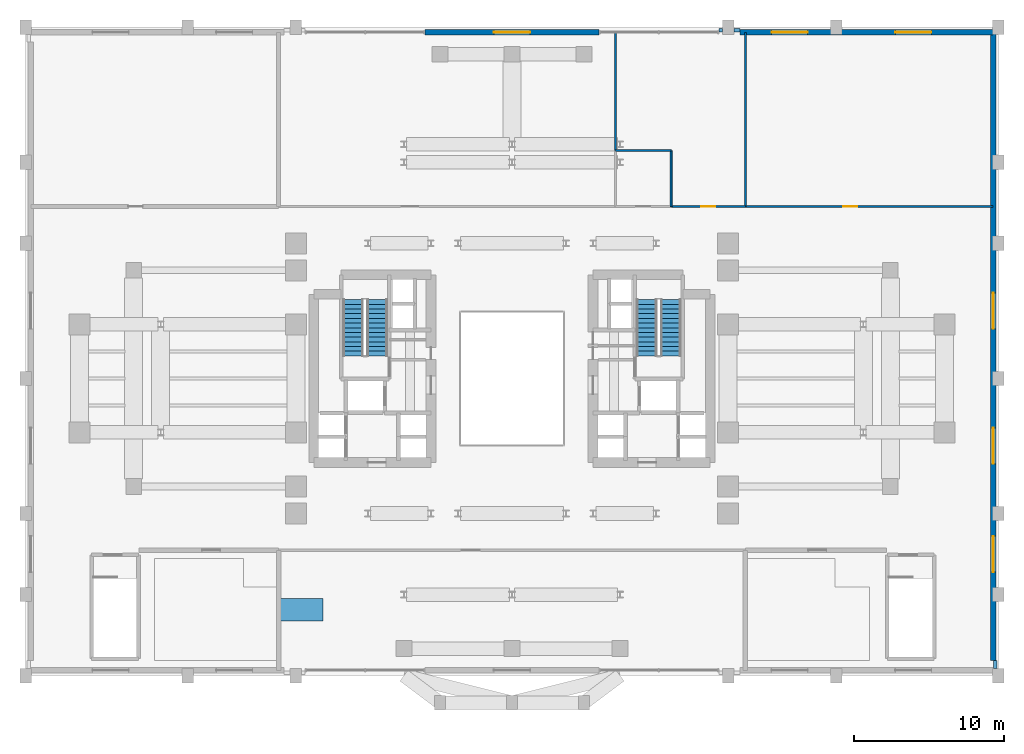
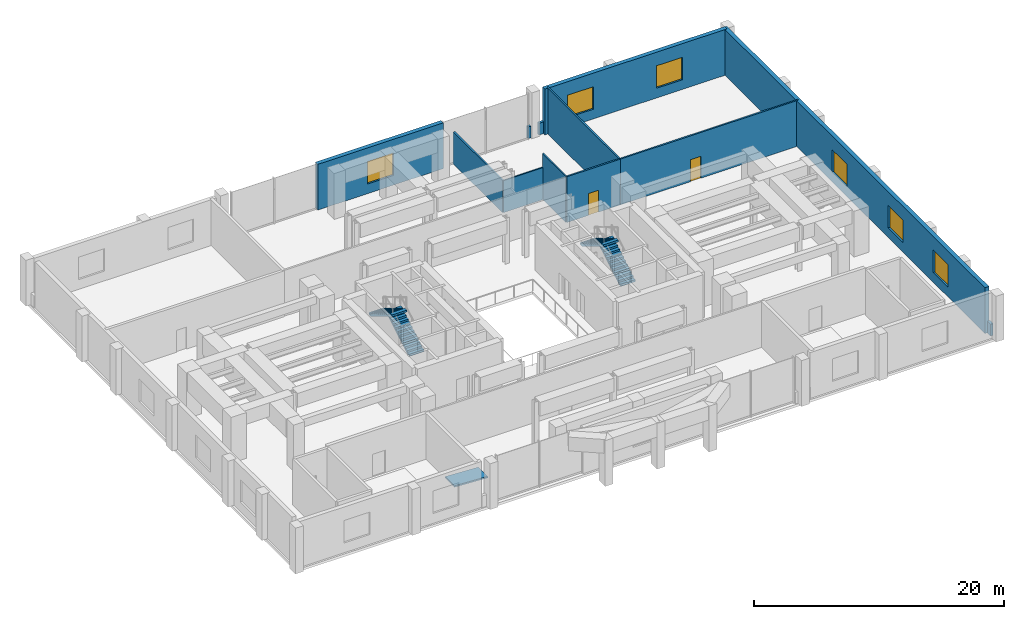
# One storey, part 11 of 13: 12 walls, 6 windows, 4 stair flights, 2 doors, 1 ramp flight, 8 openings, 3 elements without a shape of their own.
"""IFC4 building model written with IfcOpenShell, lengths in metres."""

from ifc_helpers import new_model, si_unit, direction, frame, frame_2d, origin, place, context, subcontext, project, spatial, polyline, rectangle, outline, extrude, source, transform, mapped, material, layer, layer_set, type_object, element, fill, aggregate, save


model = new_model("IFC4")

# Units and contexts
model_context = context("Model", 3, precision=1e-05, world=origin(), true_north=direction((0.0, 1.0)))
body_context = subcontext(model_context, "Body", "Model", "MODEL_VIEW")
ifc_project = project(units=[si_unit("LENGTHUNIT", "METRE"), si_unit("AREAUNIT", "SQUARE_METRE"), si_unit("VOLUMEUNIT", "CUBIC_METRE"), si_unit("PLANEANGLEUNIT", "RADIAN"), si_unit("MASSUNIT", "GRAM", prefix="KILO")], contexts=[model_context])

# Site, building, storey
site_placement = place(None, origin())
site = spatial("IfcSite", under=ifc_project, at=site_placement, CompositionType="ELEMENT")
building_placement = place(site_placement, origin())
building = spatial("IfcBuilding", under=site, at=building_placement, Name="Keilestroom Media Tower", CompositionType="ELEMENT")
storey_placement = place(building_placement, frame((0.0, 0.0, 20.39990234375)))
storey = spatial("IfcBuildingStorey", under=building, at=storey_placement, Name="L04", CompositionType="ELEMENT", Elevation=20.39990234375)

# Wall, openings, windows
ifc_material_1 = material(Name="Precast concrete C40/50", Category="concrete")
ifc_layer_1 = layer(ifc_material_1, 0.3798828125)
ifc_layer_set_1 = layer_set([ifc_layer_1], Name="Precast concrete C40/50")
wall_type_1 = type_object("IfcWallType", Name="Exterior-Masonry-Spandrel-Wall-380", PredefinedType="SOLIDWALL", material=ifc_layer_set_1)
wall_1_placement = place(storey_placement, frame((15.199951171875, 23.050048828125, 0.0), z_axis=(0.0, 0.0, 1.0), x_axis=(1.0, 0.0, 0.0)))
wall_1 = element("IfcWall", 1, at=wall_1_placement, inside=storey, type_object=wall_type_1, Name="L04 Podium Precast Masonry Wall EWL-L04-N-E", PredefinedType="SOLIDWALL", context=body_context, shape_type="SweptSolid", body=[
    extrude(rectangle(XDim=16.85009765625, YDim=0.3798828125, at=frame_2d((8.425048828125, 0.0))), origin(), (0.0, 0.0, 1.0), 4.47998046875),
])
opening_1_placement = place(wall_1_placement, frame((2.087890625, 0.0, 0.949951171875)))
opening_1 = element("IfcOpeningElement", 2, at=opening_1_placement, cuts=wall_1, Name="Opening WN-02", PredefinedType="OPENING", context=body_context, shape_type="SweptSolid", body=[
    extrude(rectangle(XDim=2.39990234375, YDim=2.199951171875, at=frame_2d((1.199951171875, 1.10009765625))), frame((0.0, 0.199951171875, 0.0), z_axis=(0.0, -1.0, 0.0), x_axis=(1.0, 0.0, 0.0)), (0.0, 0.0, 1.0), 0.39990234375),
])
opening_2_placement = place(wall_1_placement, frame((10.337890625, 0.0, 0.949951171875)))
opening_2 = element("IfcOpeningElement", 3, at=opening_2_placement, cuts=wall_1, Name="Opening WN-02", PredefinedType="OPENING", context=body_context, shape_type="SweptSolid", body=[
    extrude(rectangle(XDim=2.39990234375, YDim=2.199951171875, at=frame_2d((1.199951171875, 1.10009765625))), frame((0.0, 0.199951171875, 0.0), z_axis=(0.0, -1.0, 0.0), x_axis=(1.0, 0.0, 0.0)), (0.0, 0.0, 1.0), 0.39990234375),
])
ifc_material_2 = material(Name="Triple Glazed Low-E Window Unit", Category="glass")
window_type = type_object("IfcWindowType", Name="Recessed-Punched-Window-WN-02", PartitioningType="DOUBLE_PANEL_VERTICAL", PredefinedType="WINDOW", material=ifc_material_2)
shared_shape_1 = source(origin(), body_context, "Body", "SweptSolid", [
    extrude(rectangle(XDim=2.39990234375, YDim=2.199951171875, at=frame_2d((1.199951171875, 1.10009765625))), frame((0.0, 0.030029296875, 0.0), z_axis=(0.0, -1.0, 0.0), x_axis=(1.0, 0.0, 0.0)), (0.0, 0.0, 1.0), 0.06005859375),
])
window_1_placement = place(opening_1_placement, origin())
window_1 = element("IfcWindow", 4, at=window_1_placement, inside=storey, type_object=window_type, Name="L04 Window WN-02 EWL-L04-N-E-1", OverallHeight=2.199951171875, OverallWidth=2.39990234375, PartitioningType="SINGLE_PANEL", PredefinedType="WINDOW", context=body_context, shape_type="MappedRepresentation", body=[
    mapped(shared_shape_1, transform((0.0, 0.0, 0.0), x_axis=(1.0, 0.0, 0.0), y_axis=(0.0, 1.0, 0.0), z_axis=(0.0, 0.0, 1.0), scale=1.0)),
])
fill(opening_1, window_1)
window_2_placement = place(opening_2_placement, origin())
window_2 = element("IfcWindow", 5, at=window_2_placement, inside=storey, type_object=window_type, Name="L04 Window WN-02 EWL-L04-N-E-2", OverallHeight=2.199951171875, OverallWidth=2.39990234375, PartitioningType="SINGLE_PANEL", PredefinedType="WINDOW", context=body_context, shape_type="MappedRepresentation", body=[
    mapped(shared_shape_1, transform((0.0, 0.0, 0.0), x_axis=(1.0, 0.0, 0.0), y_axis=(0.0, 1.0, 0.0), z_axis=(0.0, 0.0, 1.0), scale=1.0)),
])
fill(opening_2, window_2)

wall_2_placement = place(storey_placement, frame((32.050048828125, -18.800048828125, 0.0), z_axis=(0.0, 0.0, 1.0), x_axis=(0.0, 1.0, 0.0)))
wall_2 = element("IfcWall", 6, at=wall_2_placement, inside=storey, type_object=wall_type_1, Name="L04 Podium Precast Masonry Wall EWL-L04-E-M", PredefinedType="SOLIDWALL", context=body_context, shape_type="SweptSolid", body=[
    extrude(rectangle(XDim=42.0, YDim=0.3798828125, at=frame_2d((21.0, 0.0))), origin(), (0.0, 0.0, 1.0), 4.47998046875),
])
opening_3_placement = place(wall_2_placement, frame((5.89990234375, 0.0, 0.949951171875)))
opening_3 = element("IfcOpeningElement", 7, at=opening_3_placement, cuts=wall_2, Name="Opening WN-02", PredefinedType="OPENING", context=body_context, shape_type="SweptSolid", body=[
    extrude(rectangle(XDim=2.39990234375, YDim=2.199951171875, at=frame_2d((1.199951171875, 1.10009765625))), frame((0.0, 0.199951171875, 0.0), z_axis=(0.0, -1.0, 0.0), x_axis=(1.0, 0.0, 0.0)), (0.0, 0.0, 1.0), 0.39990234375),
])
opening_4_placement = place(wall_2_placement, frame((13.10009765625, 0.0, 0.949951171875)))
opening_4 = element("IfcOpeningElement", 8, at=opening_4_placement, cuts=wall_2, Name="Opening WN-02", PredefinedType="OPENING", context=body_context, shape_type="SweptSolid", body=[
    extrude(rectangle(XDim=2.39990234375, YDim=2.199951171875, at=frame_2d((1.199951171875, 1.10009765625))), frame((0.0, 0.199951171875, 0.0), z_axis=(0.0, -1.0, 0.0), x_axis=(1.0, 0.0, 0.0)), (0.0, 0.0, 1.0), 0.39990234375),
])
opening_5_placement = place(wall_2_placement, frame((22.10009765625, 0.0, 0.949951171875)))
opening_5 = element("IfcOpeningElement", 9, at=opening_5_placement, cuts=wall_2, Name="Opening WN-02", PredefinedType="OPENING", context=body_context, shape_type="SweptSolid", body=[
    extrude(rectangle(XDim=2.39990234375, YDim=2.199951171875, at=frame_2d((1.199951171875, 1.10009765625))), frame((0.0, 0.199951171875, 0.0), z_axis=(0.0, -1.0, 0.0), x_axis=(1.0, 0.0, 0.0)), (0.0, 0.0, 1.0), 0.39990234375),
])
window_3_placement = place(opening_3_placement, origin())
window_3 = element("IfcWindow", 10, at=window_3_placement, inside=storey, type_object=window_type, Name="L04 Window WN-02 EWL-L04-E-M-1", OverallHeight=2.199951171875, OverallWidth=2.39990234375, PartitioningType="SINGLE_PANEL", PredefinedType="WINDOW", context=body_context, shape_type="MappedRepresentation", body=[
    mapped(shared_shape_1, transform((0.0, 0.0, 0.0), x_axis=(1.0, 0.0, 0.0), y_axis=(0.0, 1.0, 0.0), z_axis=(0.0, 0.0, 1.0), scale=1.0)),
])
fill(opening_3, window_3)
window_4_placement = place(opening_4_placement, origin())
window_4 = element("IfcWindow", 11, at=window_4_placement, inside=storey, type_object=window_type, Name="L04 Window WN-02 EWL-L04-E-M-2", OverallHeight=2.199951171875, OverallWidth=2.39990234375, PartitioningType="SINGLE_PANEL", PredefinedType="WINDOW", context=body_context, shape_type="MappedRepresentation", body=[
    mapped(shared_shape_1, transform((0.0, 0.0, 0.0), x_axis=(1.0, 0.0, 0.0), y_axis=(0.0, 1.0, 0.0), z_axis=(0.0, 0.0, 1.0), scale=1.0)),
])
fill(opening_4, window_4)
window_5_placement = place(opening_5_placement, origin())
window_5 = element("IfcWindow", 12, at=window_5_placement, inside=storey, type_object=window_type, Name="L04 Window WN-02 EWL-L04-E-M-3", OverallHeight=2.199951171875, OverallWidth=2.39990234375, PartitioningType="SINGLE_PANEL", PredefinedType="WINDOW", context=body_context, shape_type="MappedRepresentation", body=[
    mapped(shared_shape_1, transform((0.0, 0.0, 0.0), x_axis=(1.0, 0.0, 0.0), y_axis=(0.0, 1.0, 0.0), z_axis=(0.0, 0.0, 1.0), scale=1.0)),
])
fill(opening_5, window_5)

# Wall, opening, window
wall_3_placement = place(storey_placement, frame((-5.804931640625, 23.050048828125, 0.0), z_axis=(0.0, 0.0, 1.0), x_axis=(1.0, 0.0, 0.0)))
wall_3 = element("IfcWall", 13, at=wall_3_placement, inside=storey, type_object=wall_type_1, Name="L04 Podium Precast Masonry Wall EWL-L04-N-C-1", PredefinedType="SOLIDWALL", context=body_context, shape_type="SweptSolid", body=[
    extrude(rectangle(XDim=11.60986328125, YDim=0.3798828125, at=frame_2d((5.804931640625, 0.0))), origin(), (0.0, 0.0, 1.0), 4.47998046875),
])
opening_6_placement = place(wall_3_placement, frame((4.60498046875, 0.0, 0.949951171875)))
opening_6 = element("IfcOpeningElement", 14, at=opening_6_placement, cuts=wall_3, Name="Opening WN-02", PredefinedType="OPENING", context=body_context, shape_type="SweptSolid", body=[
    extrude(rectangle(XDim=2.39990234375, YDim=2.199951171875, at=frame_2d((1.199951171875, 1.10009765625))), frame((0.0, 0.199951171875, 0.0), z_axis=(0.0, -1.0, 0.0), x_axis=(1.0, 0.0, 0.0)), (0.0, 0.0, 1.0), 0.39990234375),
])
window_6_placement = place(opening_6_placement, origin())
window_6 = element("IfcWindow", 15, at=window_6_placement, inside=storey, type_object=window_type, Name="L04 Window WN-02 EWL-L04-N-C-1-1", OverallHeight=2.199951171875, OverallWidth=2.39990234375, PartitioningType="SINGLE_PANEL", PredefinedType="WINDOW", context=body_context, shape_type="MappedRepresentation", body=[
    mapped(shared_shape_1, transform((0.0, 0.0, 0.0), x_axis=(1.0, 0.0, 0.0), y_axis=(0.0, 1.0, 0.0), z_axis=(0.0, 0.0, 1.0), scale=1.0)),
])
fill(opening_6, window_6)

# Walls
ifc_material_3 = material(Name="Gypsum Plasterboard & Steel Stud", Category="steel")
ifc_layer_2 = layer(ifc_material_3, 0.1201171875)
ifc_layer_set_2 = layer_set([ifc_layer_2], Name="Gypsum Plasterboard & Steel Stud")
wall_type_2 = type_object("IfcWallType", Name="Interior-Partition-Wall-120", PredefinedType="PARTITIONING", material=ifc_layer_set_2)
wall_4_placement = place(storey_placement, frame((6.89990234375, 15.179931640625, 0.0), z_axis=(0.0, 0.0, 1.0), x_axis=(1.0, 0.0, 0.0)))
element("IfcWall", 16, at=wall_4_placement, inside=storey, type_object=wall_type_2, Name="L04 Interior Wall WP-L04-WC-POD-N", PredefinedType="PARTITIONING", context=body_context, shape_type="SweptSolid", body=[
    extrude(rectangle(XDim=3.7001953125, YDim=0.1201171875, at=frame_2d((1.85009765625, 0.0))), origin(), (0.0, 0.0, 1.0), 3.130126953125),
])
wall_5_placement = place(storey_placement, frame((10.60009765625, 11.449951171875, 0.0), z_axis=(0.0, 0.0, 1.0), x_axis=(0.0, 1.0, 0.0)))
element("IfcWall", 17, at=wall_5_placement, inside=storey, type_object=wall_type_2, Name="L04 Interior Wall WP-L04-WC-POD-E", PredefinedType="PARTITIONING", context=body_context, shape_type="SweptSolid", body=[
    extrude(rectangle(XDim=3.72998046875, YDim=0.1201171875, at=frame_2d((1.864990234375, 0.0))), origin(), (0.0, 0.0, 1.0), 4.47998046875),
])

# Wall, opening, door
ifc_layer_3 = layer(ifc_material_3, 0.14990234375)
ifc_layer_set_3 = layer_set([ifc_layer_3], Name="Gypsum Plasterboard & Steel Stud")
wall_type_3 = type_object("IfcWallType", Name="Interior-Partition-Wall-150", PredefinedType="PARTITIONING", material=ifc_layer_set_3)
wall_6_placement = place(storey_placement, frame((15.550048828125, 11.449951171875, 0.0), z_axis=(0.0, 0.0, 1.0), x_axis=(1.0, 0.0, 0.0)))
wall_6 = element("IfcWall", 18, at=wall_6_placement, inside=storey, type_object=wall_type_3, Name="L04 Interior Wall WP-L04-EDIT-NE-S", PredefinedType="PARTITIONING", context=body_context, shape_type="SweptSolid", body=[
    extrude(rectangle(XDim=16.5, YDim=0.14990234375, at=frame_2d((8.25, 0.0))), origin(), (0.0, 0.0, 1.0), 4.47998046875),
])
opening_7_placement = place(wall_6_placement, frame((6.5, 0.0, 0.0)))
opening_7 = element("IfcOpeningElement", 19, at=opening_7_placement, cuts=wall_6, Name="Opening DI-03", PredefinedType="OPENING", context=body_context, shape_type="SweptSolid", body=[
    extrude(rectangle(XDim=0.949951171875, YDim=2.14990234375, at=frame_2d((0.47509765625, 1.074951171875))), frame((0.0, 0.0849609375, 0.0), z_axis=(0.0, -1.0, 0.0), x_axis=(1.0, 0.0, 0.0)), (0.0, 0.0, 1.0), 0.169921875),
])
ifc_material_4 = material(Name="Lacquered European Oak Leaf", Category="wood")
door_type = type_object("IfcDoorType", Name="Interior-Room-And-Suite-Door-DI-03", OperationType="NOTDEFINED", PredefinedType="DOOR", material=ifc_material_4)
shared_shape_2 = source(origin(), body_context, "Body", "SweptSolid", [
    extrude(rectangle(XDim=0.949951171875, YDim=2.14990234375, at=frame_2d((0.47509765625, 1.074951171875))), frame((0.0, 0.02490234375, 0.0), z_axis=(0.0, -1.0, 0.0), x_axis=(1.0, 0.0, 0.0)), (0.0, 0.0, 1.0), 0.050048828125),
])
door_1_placement = place(opening_7_placement, origin())
door_1 = element("IfcDoor", 20, at=door_1_placement, inside=storey, type_object=door_type, Name="L04 Interior Door DI-L04-EDIT-NE-D", OperationType="SINGLE_SWING_RIGHT", OverallHeight=2.14990234375, OverallWidth=0.949951171875, PredefinedType="DOOR", context=body_context, shape_type="MappedRepresentation", body=[
    mapped(shared_shape_2, transform((0.0, 0.0, 0.0), x_axis=(1.0, 0.0, 0.0), y_axis=(0.0, 1.0, 0.0), z_axis=(0.0, 0.0, 1.0), scale=1.0)),
])
fill(opening_7, door_1)

# Walls
wall_7_placement = place(storey_placement, frame((15.550048828125, 11.449951171875, 0.0), z_axis=(0.0, 0.0, 1.0), x_axis=(0.0, 1.0, 0.0)))
element("IfcWall", 21, at=wall_7_placement, inside=storey, type_object=wall_type_3, Name="L04 Interior Wall WP-L04-EDIT-NE-W", PredefinedType="PARTITIONING", context=body_context, shape_type="SweptSolid", body=[
    extrude(rectangle(XDim=11.60009765625, YDim=0.14990234375, at=frame_2d((5.800048828125, 0.0))), origin(), (0.0, 0.0, 1.0), 4.47998046875),
])
wall_8_placement = place(storey_placement, frame((6.89990234375, 15.179931640625, 0.0), z_axis=(0.0, 0.0, 1.0), x_axis=(0.0, 1.0, 0.0)))
element("IfcWall", 22, at=wall_8_placement, inside=storey, type_object=wall_type_3, Name="L04 Interior Wall WP-L04-GREEN-N-E", PredefinedType="PARTITIONING", context=body_context, shape_type="SweptSolid", body=[
    extrude(rectangle(XDim=7.8701171875, YDim=0.14990234375, at=frame_2d((3.93505859375, 0.0))), origin(), (0.0, 0.0, 1.0), 3.130126953125),
])

# Wall, opening, door
wall_9_placement = place(storey_placement, frame((10.60009765625, 11.449951171875, 0.0), z_axis=(0.0, 0.0, 1.0), x_axis=(1.0, 0.0, 0.0)))
wall_9 = element("IfcWall", 23, at=wall_9_placement, inside=storey, type_object=wall_type_3, Name="L04 Interior Wall WP-L04-WARD-NE-S", PredefinedType="PARTITIONING", context=body_context, shape_type="SweptSolid", body=[
    extrude(rectangle(XDim=4.949951171875, YDim=0.14990234375, at=frame_2d((2.47509765625, 0.0))), origin(), (0.0, 0.0, 1.0), 4.47998046875),
])
opening_8_placement = place(wall_9_placement, frame((2.0, 0.0, 0.0)))
opening_8 = element("IfcOpeningElement", 24, at=opening_8_placement, cuts=wall_9, Name="Opening DI-03", PredefinedType="OPENING", context=body_context, shape_type="SweptSolid", body=[
    extrude(rectangle(XDim=0.949951171875, YDim=2.14990234375, at=frame_2d((0.47509765625, 1.074951171875))), frame((0.0, 0.0849609375, 0.0), z_axis=(0.0, -1.0, 0.0), x_axis=(1.0, 0.0, 0.0)), (0.0, 0.0, 1.0), 0.169921875),
])
door_2_placement = place(opening_8_placement, origin())
door_2 = element("IfcDoor", 25, at=door_2_placement, inside=storey, type_object=door_type, Name="L04 Interior Door DI-L04-WARD-NE-D", OperationType="SINGLE_SWING_RIGHT", OverallHeight=2.14990234375, OverallWidth=0.949951171875, PredefinedType="DOOR", context=body_context, shape_type="MappedRepresentation", body=[
    mapped(shared_shape_2, transform((0.0, 0.0, 0.0), x_axis=(1.0, 0.0, 0.0), y_axis=(0.0, 1.0, 0.0), z_axis=(0.0, 0.0, 1.0), scale=1.0)),
])
fill(opening_8, door_2)

# Walls
ifc_layer_4 = layer(ifc_material_1, 0.239990234375)
ifc_layer_set_4 = layer_set([ifc_layer_4], Name="Precast concrete C40/50")
wall_type_4 = type_object("IfcWallType", Name="Roof-And-Terrace-Parapet-Wall-240", PredefinedType="PARAPET", material=ifc_layer_set_4)
wall_10_placement = place(storey_placement, frame((13.782958984375, 23.199951171875, 0.0), z_axis=(0.0, 0.0, 1.0), x_axis=(1.0, 0.0, 0.0)))
element("IfcWall", 26, at=wall_10_placement, inside=storey, type_object=wall_type_4, Name="L04 Perimeter Edge Parapet Wall 05", PredefinedType="PARAPET", context=body_context, shape_type="SweptSolid", body=[
    extrude(rectangle(XDim=0.239013671875, YDim=0.239990234375, at=frame_2d((0.11962890625, 0.0))), origin(), (0.0, 0.0, 1.0), 1.150146484375),
])
wall_11_placement = place(storey_placement, frame((14.778076171875, 23.199951171875, 0.0), z_axis=(0.0, 0.0, 1.0), x_axis=(1.0, 0.0, 0.0)))
element("IfcWall", 27, at=wall_11_placement, inside=storey, type_object=wall_type_4, Name="L04 Perimeter Edge Parapet Wall 06", PredefinedType="PARAPET", context=body_context, shape_type="SweptSolid", body=[
    extrude(rectangle(XDim=0.4189453125, YDim=0.239990234375, at=frame_2d((0.20947265625, 0.0))), origin(), (0.0, 0.0, 1.0), 1.150146484375),
])
wall_12_placement = place(storey_placement, frame((32.199951171875, -18.802978515625, 0.0), z_axis=(0.0, 0.0, 1.0), x_axis=(0.0, -1.0, 0.0)))
element("IfcWall", 28, at=wall_12_placement, inside=storey, type_object=wall_type_4, Name="L04 Perimeter Edge Parapet Wall 07", PredefinedType="PARAPET", context=body_context, shape_type="SweptSolid", body=[
    extrude(rectangle(XDim=0.51904296875, YDim=0.239990234375, at=frame_2d((0.259521484375, 0.0))), origin(), (0.0, 0.0, 1.0), 1.150146484375),
])

# Stair, stair flights
ifc_material_5 = material(Name="Concrete C45/55", Category="concrete")
stair_type = type_object("IfcStairType", Name="Enclosed-Dog-Leg-Stair-ST-CORE", PredefinedType="HALF_TURN_STAIR", material=ifc_material_5)
stair_1_placement = place(storey_placement, origin())
stair_1 = element("IfcStair", 29, at=stair_1_placement, inside=storey, type_object=stair_type, Name="L04 West Core Escape Stair ST-1", PredefinedType="HALF_TURN_STAIR")
stair_flight_type = type_object("IfcStairFlightType", Name="Precast-Concrete-Stair-Flight-Core-160", PredefinedType="STRAIGHT", material=ifc_material_1)
stair_flight_1_placement = place(storey_placement, frame((-8.97998046875, 1.5, 0.0), z_axis=(0.0, 0.0, 1.0), x_axis=(0.0, 1.0, 0.0)))
stair_flight_1 = element("IfcStairFlight", 30, at=stair_flight_1_placement, type_object=stair_flight_type, Name="ST-1 flight 1", NumberOfRisers=13, NumberOfTreads=12, PredefinedType="STRAIGHT", RiserHeight=0.184615385, TreadLength=0.312, context=body_context, shape_type="SweptSolid", body=[
    extrude(outline(polyline([(0.0, 0.0), (0.0, 0.1845703125), (0.31201171875, 0.1845703125), (0.31201171875, 0.369140625), (0.6240234375, 0.369140625), (0.6240234375, 0.553955078125), (0.93603515625, 0.553955078125), (0.93603515625, 0.738525390625), (1.248046875, 0.738525390625), (1.248046875, 0.923095703125), (1.56005859375, 0.923095703125), (1.56005859375, 1.107666015625), (1.8720703125, 1.107666015625), (1.8720703125, 1.292236328125), (2.18408203125, 1.292236328125), (2.18408203125, 1.476806640625), (2.49609375, 1.476806640625), (2.49609375, 1.66162109375), (2.80810546875, 1.66162109375), (2.80810546875, 1.84619140625), (3.1201171875, 1.84619140625), (3.1201171875, 2.03076171875), (3.431884765625, 2.03076171875), (3.431884765625, 2.21533203125), (3.743896484375, 2.21533203125), (3.743896484375, 2.39990234375), (3.743896484375, 2.029541015625), (0.31396484375, 0.0), (0.0, 0.0)])), frame((0.0, 0.68017578125, 0.0), z_axis=(0.0, -1.0, 0.0), x_axis=(1.0, 0.0, 0.0)), (0.0, 0.0, 1.0), 1.360107421875),
])
stair_flight_2_placement = place(storey_placement, frame((-10.580078125, 5.243896484375, 2.400146484375), z_axis=(0.0, 0.0, 1.0), x_axis=(0.0, -1.0, 0.0)))
stair_flight_2 = element("IfcStairFlight", 31, at=stair_flight_2_placement, type_object=stair_flight_type, Name="ST-1 flight 2", NumberOfRisers=13, NumberOfTreads=12, PredefinedType="STRAIGHT", RiserHeight=0.184615385, TreadLength=0.312, context=body_context, shape_type="SweptSolid", body=[
    extrude(outline(polyline([(0.0, 0.0), (0.0, 0.1845703125), (0.31201171875, 0.1845703125), (0.31201171875, 0.369140625), (0.6240234375, 0.369140625), (0.6240234375, 0.553955078125), (0.93603515625, 0.553955078125), (0.93603515625, 0.738525390625), (1.248046875, 0.738525390625), (1.248046875, 0.923095703125), (1.56005859375, 0.923095703125), (1.56005859375, 1.107666015625), (1.8720703125, 1.107666015625), (1.8720703125, 1.292236328125), (2.18408203125, 1.292236328125), (2.18408203125, 1.476806640625), (2.49609375, 1.476806640625), (2.49609375, 1.66162109375), (2.80810546875, 1.66162109375), (2.80810546875, 1.84619140625), (3.1201171875, 1.84619140625), (3.1201171875, 2.03076171875), (3.431884765625, 2.03076171875), (3.431884765625, 2.21533203125), (3.743896484375, 2.21533203125), (3.743896484375, 2.39990234375), (3.743896484375, 2.029541015625), (0.31396484375, 0.0), (0.0, 0.0)])), frame((0.0, 0.68017578125, 0.0), z_axis=(0.0, -1.0, 0.0), x_axis=(1.0, 0.0, 0.0)), (0.0, 0.0, 1.0), 1.360107421875),
])
aggregate(stair_1, [stair_flight_1, stair_flight_2])

stair_2_placement = place(storey_placement, origin())
stair_2 = element("IfcStair", 32, at=stair_2_placement, inside=storey, type_object=stair_type, Name="L04 East Core Escape Stair ST-2", PredefinedType="HALF_TURN_STAIR")
stair_flight_3_placement = place(storey_placement, frame((10.580078125, 1.5, 0.0), z_axis=(0.0, 0.0, 1.0), x_axis=(0.0, 1.0, 0.0)))
stair_flight_3 = element("IfcStairFlight", 33, at=stair_flight_3_placement, type_object=stair_flight_type, Name="ST-2 flight 1", NumberOfRisers=13, NumberOfTreads=12, PredefinedType="STRAIGHT", RiserHeight=0.184615385, TreadLength=0.312, context=body_context, shape_type="SweptSolid", body=[
    extrude(outline(polyline([(0.0, 0.0), (0.0, 0.1845703125), (0.31201171875, 0.1845703125), (0.31201171875, 0.369140625), (0.6240234375, 0.369140625), (0.6240234375, 0.553955078125), (0.93603515625, 0.553955078125), (0.93603515625, 0.738525390625), (1.248046875, 0.738525390625), (1.248046875, 0.923095703125), (1.56005859375, 0.923095703125), (1.56005859375, 1.107666015625), (1.8720703125, 1.107666015625), (1.8720703125, 1.292236328125), (2.18408203125, 1.292236328125), (2.18408203125, 1.476806640625), (2.49609375, 1.476806640625), (2.49609375, 1.66162109375), (2.80810546875, 1.66162109375), (2.80810546875, 1.84619140625), (3.1201171875, 1.84619140625), (3.1201171875, 2.03076171875), (3.431884765625, 2.03076171875), (3.431884765625, 2.21533203125), (3.743896484375, 2.21533203125), (3.743896484375, 2.39990234375), (3.743896484375, 2.029541015625), (0.31396484375, 0.0), (0.0, 0.0)])), frame((0.0, 0.68017578125, 0.0), z_axis=(0.0, -1.0, 0.0), x_axis=(1.0, 0.0, 0.0)), (0.0, 0.0, 1.0), 1.360107421875),
])
stair_flight_4_placement = place(storey_placement, frame((8.97998046875, 5.243896484375, 2.400146484375), z_axis=(0.0, 0.0, 1.0), x_axis=(0.0, -1.0, 0.0)))
stair_flight_4 = element("IfcStairFlight", 34, at=stair_flight_4_placement, type_object=stair_flight_type, Name="ST-2 flight 2", NumberOfRisers=13, NumberOfTreads=12, PredefinedType="STRAIGHT", RiserHeight=0.184615385, TreadLength=0.312, context=body_context, shape_type="SweptSolid", body=[
    extrude(outline(polyline([(0.0, 0.0), (0.0, 0.1845703125), (0.31201171875, 0.1845703125), (0.31201171875, 0.369140625), (0.6240234375, 0.369140625), (0.6240234375, 0.553955078125), (0.93603515625, 0.553955078125), (0.93603515625, 0.738525390625), (1.248046875, 0.738525390625), (1.248046875, 0.923095703125), (1.56005859375, 0.923095703125), (1.56005859375, 1.107666015625), (1.8720703125, 1.107666015625), (1.8720703125, 1.292236328125), (2.18408203125, 1.292236328125), (2.18408203125, 1.476806640625), (2.49609375, 1.476806640625), (2.49609375, 1.66162109375), (2.80810546875, 1.66162109375), (2.80810546875, 1.84619140625), (3.1201171875, 1.84619140625), (3.1201171875, 2.03076171875), (3.431884765625, 2.03076171875), (3.431884765625, 2.21533203125), (3.743896484375, 2.21533203125), (3.743896484375, 2.39990234375), (3.743896484375, 2.029541015625), (0.31396484375, 0.0), (0.0, 0.0)])), frame((0.0, 0.68017578125, 0.0), z_axis=(0.0, -1.0, 0.0), x_axis=(1.0, 0.0, 0.0)), (0.0, 0.0, 1.0), 1.360107421875),
])
aggregate(stair_2, [stair_flight_3, stair_flight_4])

# Ramp, ramp flight
ramp_type = type_object("IfcRampType", Name="Pedestrian-Accessible-Ramp-Quay", PredefinedType="STRAIGHT_RUN_RAMP", material=ifc_material_5)
ramp_placement = place(storey_placement, origin())
ramp = element("IfcRamp", 35, at=ramp_placement, inside=storey, type_object=ramp_type, Name="L04 Studio Accessible Ramp 5", PredefinedType="STRAIGHT_RUN_RAMP")
ifc_layer_5 = layer(ifc_material_5, 0.14990234375)
ifc_layer_set_5 = layer_set([ifc_layer_5], Name="Concrete C45/55")
ramp_flight_type = type_object("IfcRampFlightType", Name="Reinforced-Concrete-Ramp-Flight-Quay-150", PredefinedType="STRAIGHT", material=ifc_layer_set_5)
ramp_flight_placement = place(storey_placement, frame((-15.679931640625, -16.14990234375, 0.150146484375), z_axis=(0.048693655381, 0.0, 0.998813760381), x_axis=(0.998813760381, 0.0, -0.048693655381)))
ramp_flight = element("IfcRampFlight", 36, at=ramp_flight_placement, type_object=ramp_flight_type, Name="L04 Studio Accessible Ramp Flight 5", PredefinedType="STRAIGHT", context=body_context, shape_type="SweptSolid", body=[
    extrude(outline(polyline([(0.0, 0.0), (3.083491744448388, 0.0), (3.083491744448388, 1.5), (0.0, 1.5), (0.0, 0.0)])), origin(), (0.0, 0.0, -1.0), 0.14990234375),
])
aggregate(ramp, [ramp_flight])

save(model, "model.ifc")
